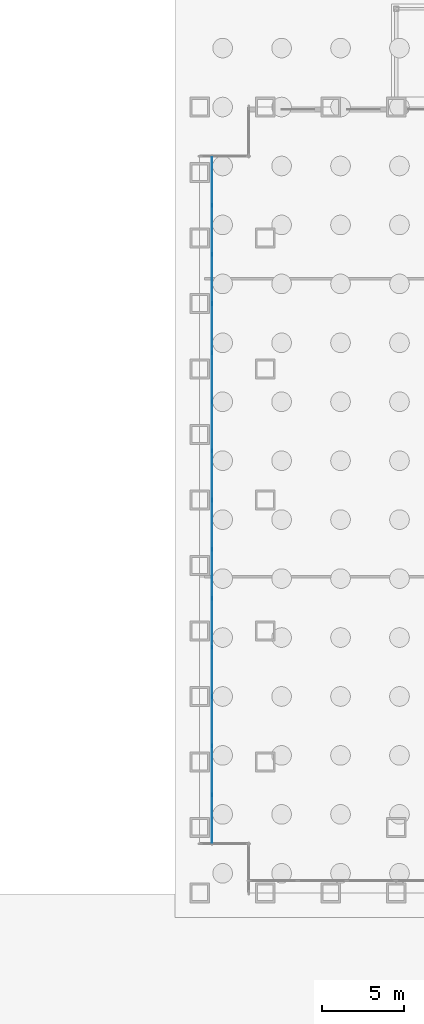
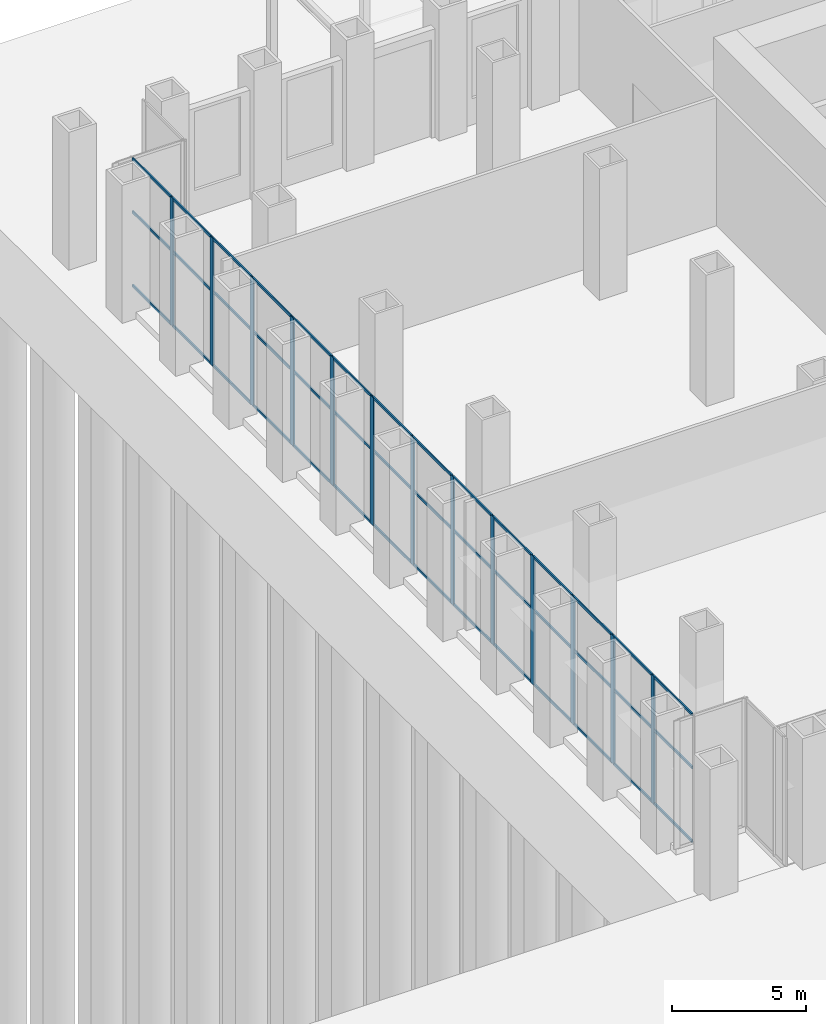
# One storey, part 8 of 17: 55 members, 1 element without a shape of its own.
"""IFC4 building model written with IfcOpenShell, lengths in metres."""

from ifc_helpers import new_model, si_unit, direction, frame, origin, origin_2d, place, context, subcontext, project, spatial, rectangle, extrude, material, material_profile, profile_set, type_object, element, aggregate, save


model = new_model("IFC4")

# Units and contexts
model_context = context("Model", 3, precision=1e-05, world=origin(), true_north=direction((0.0, 1.0)))
body_context = subcontext(model_context, "Body", "Model", "MODEL_VIEW")
ifc_project = project(units=[si_unit("LENGTHUNIT", "METRE"), si_unit("AREAUNIT", "SQUARE_METRE"), si_unit("VOLUMEUNIT", "CUBIC_METRE"), si_unit("PLANEANGLEUNIT", "RADIAN"), si_unit("MASSUNIT", "GRAM", prefix="KILO")], contexts=[model_context])

# Site, building, storey
site_placement = place(None, origin())
site = spatial("IfcSite", under=ifc_project, at=site_placement, CompositionType="ELEMENT")
building_placement = place(site_placement, origin())
building = spatial("IfcBuilding", under=site, at=building_placement, Name="Rimbunsela Tower", CompositionType="ELEMENT")
storey_placement = place(building_placement, origin())
storey = spatial("IfcBuildingStorey", under=building, at=storey_placement, Name="L00", CompositionType="ELEMENT", Elevation=0.0)

# Curtain wall, members
ifc_material_1 = material(Name="Aluminium curtain wall", Category="aluminium")
curtain_wall_type = type_object("IfcCurtainWallType", Name="Podium glazing", PredefinedType="USERDEFINED", material=ifc_material_1)
curtain_wall_placement = place(storey_placement, origin())
curtain_wall = element("IfcCurtainWall", 1, at=curtain_wall_placement, inside=storey, type_object=curtain_wall_type, Name="Podium glazing L00", ObjectType="PODIUM GLAZING", PredefinedType="USERDEFINED")
ifc_material_2 = material(Name="Aluminium mullion", Category="aluminium")
ifc_material_profile_1 = material_profile(ifc_material_2, rectangle(XDim=0.06005859375, YDim=0.25, at=origin_2d()), Name="Mullion 60x250")
ifc_profile_set_1 = profile_set([ifc_material_profile_1], Name="Aluminium mullion")
member_type_1 = type_object("IfcMemberType", Name="Curtain wall mullion 60x250", PredefinedType="MULLION", material=ifc_profile_set_1)
member_1_placement = place(storey_placement, frame((-5.25, 38.0, 0.0), z_axis=(0.0, 0.0, 1.0), x_axis=(1.0, 0.0, 0.0)))
member_1 = element("IfcMember", 2, at=member_1_placement, type_object=member_type_1, Name="CW1 mullion 2", PredefinedType="MULLION", context=body_context, shape_type="SweptSolid", body=[
    extrude(rectangle(XDim=0.06005859375, YDim=0.25, at=origin_2d()), origin(), (0.0, 0.0, 1.0), 5.85009765625),
])
member_2_placement = place(storey_placement, frame((-5.25, 35.0, 0.0), z_axis=(0.0, 0.0, 1.0), x_axis=(1.0, 0.0, 0.0)))
member_2 = element("IfcMember", 3, at=member_2_placement, type_object=member_type_1, Name="CW1 mullion 3", PredefinedType="MULLION", context=body_context, shape_type="SweptSolid", body=[
    extrude(rectangle(XDim=0.06005859375, YDim=0.25, at=origin_2d()), origin(), (0.0, 0.0, 1.0), 5.85009765625),
])
member_3_placement = place(storey_placement, frame((-5.25, 32.0, 0.0), z_axis=(0.0, 0.0, 1.0), x_axis=(1.0, 0.0, 0.0)))
member_3 = element("IfcMember", 4, at=member_3_placement, type_object=member_type_1, Name="CW1 mullion 4", PredefinedType="MULLION", context=body_context, shape_type="SweptSolid", body=[
    extrude(rectangle(XDim=0.06005859375, YDim=0.25, at=origin_2d()), origin(), (0.0, 0.0, 1.0), 5.85009765625),
])
member_4_placement = place(storey_placement, frame((-5.25, 29.0, 0.0), z_axis=(0.0, 0.0, 1.0), x_axis=(1.0, 0.0, 0.0)))
member_4 = element("IfcMember", 5, at=member_4_placement, type_object=member_type_1, Name="CW1 mullion 5", PredefinedType="MULLION", context=body_context, shape_type="SweptSolid", body=[
    extrude(rectangle(XDim=0.06005859375, YDim=0.25, at=origin_2d()), origin(), (0.0, 0.0, 1.0), 5.85009765625),
])
member_5_placement = place(storey_placement, frame((-5.25, 26.0, 0.0), z_axis=(0.0, 0.0, 1.0), x_axis=(1.0, 0.0, 0.0)))
member_5 = element("IfcMember", 6, at=member_5_placement, type_object=member_type_1, Name="CW1 mullion 6", PredefinedType="MULLION", context=body_context, shape_type="SweptSolid", body=[
    extrude(rectangle(XDim=0.06005859375, YDim=0.25, at=origin_2d()), origin(), (0.0, 0.0, 1.0), 5.85009765625),
])
member_6_placement = place(storey_placement, frame((-5.25, 23.0, 0.0), z_axis=(0.0, 0.0, 1.0), x_axis=(1.0, 0.0, 0.0)))
member_6 = element("IfcMember", 7, at=member_6_placement, type_object=member_type_1, Name="CW1 mullion 7", PredefinedType="MULLION", context=body_context, shape_type="SweptSolid", body=[
    extrude(rectangle(XDim=0.06005859375, YDim=0.25, at=origin_2d()), origin(), (0.0, 0.0, 1.0), 5.85009765625),
])
member_7_placement = place(storey_placement, frame((-5.25, 20.0, 0.0), z_axis=(0.0, 0.0, 1.0), x_axis=(1.0, 0.0, 0.0)))
member_7 = element("IfcMember", 8, at=member_7_placement, type_object=member_type_1, Name="CW1 mullion 8", PredefinedType="MULLION", context=body_context, shape_type="SweptSolid", body=[
    extrude(rectangle(XDim=0.06005859375, YDim=0.25, at=origin_2d()), origin(), (0.0, 0.0, 1.0), 5.85009765625),
])
member_8_placement = place(storey_placement, frame((-5.25, 17.0, 0.0), z_axis=(0.0, 0.0, 1.0), x_axis=(1.0, 0.0, 0.0)))
member_8 = element("IfcMember", 9, at=member_8_placement, type_object=member_type_1, Name="CW1 mullion 9", PredefinedType="MULLION", context=body_context, shape_type="SweptSolid", body=[
    extrude(rectangle(XDim=0.06005859375, YDim=0.25, at=origin_2d()), origin(), (0.0, 0.0, 1.0), 5.85009765625),
])
member_9_placement = place(storey_placement, frame((-5.25, 14.0, 0.0), z_axis=(0.0, 0.0, 1.0), x_axis=(1.0, 0.0, 0.0)))
member_9 = element("IfcMember", 10, at=member_9_placement, type_object=member_type_1, Name="CW1 mullion 10", PredefinedType="MULLION", context=body_context, shape_type="SweptSolid", body=[
    extrude(rectangle(XDim=0.06005859375, YDim=0.25, at=origin_2d()), origin(), (0.0, 0.0, 1.0), 5.85009765625),
])
member_10_placement = place(storey_placement, frame((-5.25, 11.0, 0.0), z_axis=(0.0, 0.0, 1.0), x_axis=(1.0, 0.0, 0.0)))
member_10 = element("IfcMember", 11, at=member_10_placement, type_object=member_type_1, Name="CW1 mullion 11", PredefinedType="MULLION", context=body_context, shape_type="SweptSolid", body=[
    extrude(rectangle(XDim=0.06005859375, YDim=0.25, at=origin_2d()), origin(), (0.0, 0.0, 1.0), 5.85009765625),
])
member_11_placement = place(storey_placement, frame((-5.25, 8.0, 0.0), z_axis=(0.0, 0.0, 1.0), x_axis=(1.0, 0.0, 0.0)))
member_11 = element("IfcMember", 12, at=member_11_placement, type_object=member_type_1, Name="CW1 mullion 12", PredefinedType="MULLION", context=body_context, shape_type="SweptSolid", body=[
    extrude(rectangle(XDim=0.06005859375, YDim=0.25, at=origin_2d()), origin(), (0.0, 0.0, 1.0), 5.85009765625),
])
member_12_placement = place(storey_placement, frame((-5.25, 5.0, 0.0), z_axis=(0.0, 0.0, 1.0), x_axis=(1.0, 0.0, 0.0)))
member_12 = element("IfcMember", 13, at=member_12_placement, type_object=member_type_1, Name="CW1 mullion 13", PredefinedType="MULLION", context=body_context, shape_type="SweptSolid", body=[
    extrude(rectangle(XDim=0.06005859375, YDim=0.25, at=origin_2d()), origin(), (0.0, 0.0, 1.0), 5.85009765625),
])
member_13_placement = place(storey_placement, frame((-5.25, 2.0, 0.0), z_axis=(0.0, 0.0, 1.0), x_axis=(1.0, 0.0, 0.0)))
member_13 = element("IfcMember", 14, at=member_13_placement, type_object=member_type_1, Name="CW1 mullion 14", PredefinedType="MULLION", context=body_context, shape_type="SweptSolid", body=[
    extrude(rectangle(XDim=0.06005859375, YDim=0.25, at=origin_2d()), origin(), (0.0, 0.0, 1.0), 5.85009765625),
])
ifc_material_3 = material(Name="Aluminium transom", Category="aluminium")
ifc_material_profile_2 = material_profile(ifc_material_3, rectangle(XDim=0.06005859375, YDim=0.1201171875, at=origin_2d()), Name="Transom 60x120")
ifc_profile_set_2 = profile_set([ifc_material_profile_2], Name="Aluminium transom")
member_type_2 = type_object("IfcMemberType", Name="Curtain wall transom 60x120", PredefinedType="USERDEFINED", material=ifc_profile_set_2)
member_14_placement = place(storey_placement, frame((-5.25, 40.93994140625, 0.030029296875), z_axis=(0.0, -1.0, 0.0), x_axis=(1.0, 0.0, 0.0)))
member_14 = element("IfcMember", 15, at=member_14_placement, type_object=member_type_2, Name="CW1 transom 1.1", ObjectType="TRANSOM", PredefinedType="USERDEFINED", context=body_context, shape_type="SweptSolid", body=[
    extrude(rectangle(XDim=0.06005859375, YDim=0.1201171875, at=origin_2d()), origin(), (0.0, 0.0, 1.0), 2.909912109375),
])
member_15_placement = place(storey_placement, frame((-5.25, 40.93994140625, 3.39990234375), z_axis=(0.0, -1.0, 0.0), x_axis=(1.0, 0.0, 0.0)))
member_15 = element("IfcMember", 16, at=member_15_placement, type_object=member_type_2, Name="CW1 transom 1.2", ObjectType="TRANSOM", PredefinedType="USERDEFINED", context=body_context, shape_type="SweptSolid", body=[
    extrude(rectangle(XDim=0.06005859375, YDim=0.1201171875, at=origin_2d()), origin(), (0.0, 0.0, 1.0), 2.909912109375),
])
member_16_placement = place(storey_placement, frame((-5.25, 40.93994140625, 5.820068359375), z_axis=(0.0, -1.0, 0.0), x_axis=(1.0, 0.0, 0.0)))
member_16 = element("IfcMember", 17, at=member_16_placement, type_object=member_type_2, Name="CW1 transom 1.3", ObjectType="TRANSOM", PredefinedType="USERDEFINED", context=body_context, shape_type="SweptSolid", body=[
    extrude(rectangle(XDim=0.06005859375, YDim=0.1201171875, at=origin_2d()), origin(), (0.0, 0.0, 1.0), 2.909912109375),
])
member_17_placement = place(storey_placement, frame((-5.25, 37.969970703125, 0.030029296875), z_axis=(0.0, -1.0, 0.0), x_axis=(1.0, 0.0, 0.0)))
member_17 = element("IfcMember", 18, at=member_17_placement, type_object=member_type_2, Name="CW1 transom 2.1", ObjectType="TRANSOM", PredefinedType="USERDEFINED", context=body_context, shape_type="SweptSolid", body=[
    extrude(rectangle(XDim=0.06005859375, YDim=0.1201171875, at=origin_2d()), origin(), (0.0, 0.0, 1.0), 2.93994140625),
])
member_18_placement = place(storey_placement, frame((-5.25, 37.969970703125, 3.39990234375), z_axis=(0.0, -1.0, 0.0), x_axis=(1.0, 0.0, 0.0)))
member_18 = element("IfcMember", 19, at=member_18_placement, type_object=member_type_2, Name="CW1 transom 2.2", ObjectType="TRANSOM", PredefinedType="USERDEFINED", context=body_context, shape_type="SweptSolid", body=[
    extrude(rectangle(XDim=0.06005859375, YDim=0.1201171875, at=origin_2d()), origin(), (0.0, 0.0, 1.0), 2.93994140625),
])
member_19_placement = place(storey_placement, frame((-5.25, 37.969970703125, 5.820068359375), z_axis=(0.0, -1.0, 0.0), x_axis=(1.0, 0.0, 0.0)))
member_19 = element("IfcMember", 20, at=member_19_placement, type_object=member_type_2, Name="CW1 transom 2.3", ObjectType="TRANSOM", PredefinedType="USERDEFINED", context=body_context, shape_type="SweptSolid", body=[
    extrude(rectangle(XDim=0.06005859375, YDim=0.1201171875, at=origin_2d()), origin(), (0.0, 0.0, 1.0), 2.93994140625),
])
member_20_placement = place(storey_placement, frame((-5.25, 34.969970703125, 0.030029296875), z_axis=(0.0, -1.0, 0.0), x_axis=(1.0, 0.0, 0.0)))
member_20 = element("IfcMember", 21, at=member_20_placement, type_object=member_type_2, Name="CW1 transom 3.1", ObjectType="TRANSOM", PredefinedType="USERDEFINED", context=body_context, shape_type="SweptSolid", body=[
    extrude(rectangle(XDim=0.06005859375, YDim=0.1201171875, at=origin_2d()), origin(), (0.0, 0.0, 1.0), 2.93994140625),
])
member_21_placement = place(storey_placement, frame((-5.25, 34.969970703125, 3.39990234375), z_axis=(0.0, -1.0, 0.0), x_axis=(1.0, 0.0, 0.0)))
member_21 = element("IfcMember", 22, at=member_21_placement, type_object=member_type_2, Name="CW1 transom 3.2", ObjectType="TRANSOM", PredefinedType="USERDEFINED", context=body_context, shape_type="SweptSolid", body=[
    extrude(rectangle(XDim=0.06005859375, YDim=0.1201171875, at=origin_2d()), origin(), (0.0, 0.0, 1.0), 2.93994140625),
])
member_22_placement = place(storey_placement, frame((-5.25, 34.969970703125, 5.820068359375), z_axis=(0.0, -1.0, 0.0), x_axis=(1.0, 0.0, 0.0)))
member_22 = element("IfcMember", 23, at=member_22_placement, type_object=member_type_2, Name="CW1 transom 3.3", ObjectType="TRANSOM", PredefinedType="USERDEFINED", context=body_context, shape_type="SweptSolid", body=[
    extrude(rectangle(XDim=0.06005859375, YDim=0.1201171875, at=origin_2d()), origin(), (0.0, 0.0, 1.0), 2.93994140625),
])
member_23_placement = place(storey_placement, frame((-5.25, 31.969970703125, 0.030029296875), z_axis=(0.0, -1.0, 0.0), x_axis=(1.0, 0.0, 0.0)))
member_23 = element("IfcMember", 24, at=member_23_placement, type_object=member_type_2, Name="CW1 transom 4.1", ObjectType="TRANSOM", PredefinedType="USERDEFINED", context=body_context, shape_type="SweptSolid", body=[
    extrude(rectangle(XDim=0.06005859375, YDim=0.1201171875, at=origin_2d()), origin(), (0.0, 0.0, 1.0), 2.93994140625),
])
member_24_placement = place(storey_placement, frame((-5.25, 31.969970703125, 3.39990234375), z_axis=(0.0, -1.0, 0.0), x_axis=(1.0, 0.0, 0.0)))
member_24 = element("IfcMember", 25, at=member_24_placement, type_object=member_type_2, Name="CW1 transom 4.2", ObjectType="TRANSOM", PredefinedType="USERDEFINED", context=body_context, shape_type="SweptSolid", body=[
    extrude(rectangle(XDim=0.06005859375, YDim=0.1201171875, at=origin_2d()), origin(), (0.0, 0.0, 1.0), 2.93994140625),
])
member_25_placement = place(storey_placement, frame((-5.25, 31.969970703125, 5.820068359375), z_axis=(0.0, -1.0, 0.0), x_axis=(1.0, 0.0, 0.0)))
member_25 = element("IfcMember", 26, at=member_25_placement, type_object=member_type_2, Name="CW1 transom 4.3", ObjectType="TRANSOM", PredefinedType="USERDEFINED", context=body_context, shape_type="SweptSolid", body=[
    extrude(rectangle(XDim=0.06005859375, YDim=0.1201171875, at=origin_2d()), origin(), (0.0, 0.0, 1.0), 2.93994140625),
])
member_26_placement = place(storey_placement, frame((-5.25, 28.969970703125, 0.030029296875), z_axis=(0.0, -1.0, 0.0), x_axis=(1.0, 0.0, 0.0)))
member_26 = element("IfcMember", 27, at=member_26_placement, type_object=member_type_2, Name="CW1 transom 5.1", ObjectType="TRANSOM", PredefinedType="USERDEFINED", context=body_context, shape_type="SweptSolid", body=[
    extrude(rectangle(XDim=0.06005859375, YDim=0.1201171875, at=origin_2d()), origin(), (0.0, 0.0, 1.0), 2.93994140625),
])
member_27_placement = place(storey_placement, frame((-5.25, 28.969970703125, 3.39990234375), z_axis=(0.0, -1.0, 0.0), x_axis=(1.0, 0.0, 0.0)))
member_27 = element("IfcMember", 28, at=member_27_placement, type_object=member_type_2, Name="CW1 transom 5.2", ObjectType="TRANSOM", PredefinedType="USERDEFINED", context=body_context, shape_type="SweptSolid", body=[
    extrude(rectangle(XDim=0.06005859375, YDim=0.1201171875, at=origin_2d()), origin(), (0.0, 0.0, 1.0), 2.93994140625),
])
member_28_placement = place(storey_placement, frame((-5.25, 28.969970703125, 5.820068359375), z_axis=(0.0, -1.0, 0.0), x_axis=(1.0, 0.0, 0.0)))
member_28 = element("IfcMember", 29, at=member_28_placement, type_object=member_type_2, Name="CW1 transom 5.3", ObjectType="TRANSOM", PredefinedType="USERDEFINED", context=body_context, shape_type="SweptSolid", body=[
    extrude(rectangle(XDim=0.06005859375, YDim=0.1201171875, at=origin_2d()), origin(), (0.0, 0.0, 1.0), 2.93994140625),
])
member_29_placement = place(storey_placement, frame((-5.25, 25.969970703125, 0.030029296875), z_axis=(0.0, -1.0, 0.0), x_axis=(1.0, 0.0, 0.0)))
member_29 = element("IfcMember", 30, at=member_29_placement, type_object=member_type_2, Name="CW1 transom 6.1", ObjectType="TRANSOM", PredefinedType="USERDEFINED", context=body_context, shape_type="SweptSolid", body=[
    extrude(rectangle(XDim=0.06005859375, YDim=0.1201171875, at=origin_2d()), origin(), (0.0, 0.0, 1.0), 2.93994140625),
])
member_30_placement = place(storey_placement, frame((-5.25, 25.969970703125, 3.39990234375), z_axis=(0.0, -1.0, 0.0), x_axis=(1.0, 0.0, 0.0)))
member_30 = element("IfcMember", 31, at=member_30_placement, type_object=member_type_2, Name="CW1 transom 6.2", ObjectType="TRANSOM", PredefinedType="USERDEFINED", context=body_context, shape_type="SweptSolid", body=[
    extrude(rectangle(XDim=0.06005859375, YDim=0.1201171875, at=origin_2d()), origin(), (0.0, 0.0, 1.0), 2.93994140625),
])
member_31_placement = place(storey_placement, frame((-5.25, 25.969970703125, 5.820068359375), z_axis=(0.0, -1.0, 0.0), x_axis=(1.0, 0.0, 0.0)))
member_31 = element("IfcMember", 32, at=member_31_placement, type_object=member_type_2, Name="CW1 transom 6.3", ObjectType="TRANSOM", PredefinedType="USERDEFINED", context=body_context, shape_type="SweptSolid", body=[
    extrude(rectangle(XDim=0.06005859375, YDim=0.1201171875, at=origin_2d()), origin(), (0.0, 0.0, 1.0), 2.93994140625),
])
member_32_placement = place(storey_placement, frame((-5.25, 22.969970703125, 0.030029296875), z_axis=(0.0, -1.0, 0.0), x_axis=(1.0, 0.0, 0.0)))
member_32 = element("IfcMember", 33, at=member_32_placement, type_object=member_type_2, Name="CW1 transom 7.1", ObjectType="TRANSOM", PredefinedType="USERDEFINED", context=body_context, shape_type="SweptSolid", body=[
    extrude(rectangle(XDim=0.06005859375, YDim=0.1201171875, at=origin_2d()), origin(), (0.0, 0.0, 1.0), 2.93994140625),
])
member_33_placement = place(storey_placement, frame((-5.25, 22.969970703125, 3.39990234375), z_axis=(0.0, -1.0, 0.0), x_axis=(1.0, 0.0, 0.0)))
member_33 = element("IfcMember", 34, at=member_33_placement, type_object=member_type_2, Name="CW1 transom 7.2", ObjectType="TRANSOM", PredefinedType="USERDEFINED", context=body_context, shape_type="SweptSolid", body=[
    extrude(rectangle(XDim=0.06005859375, YDim=0.1201171875, at=origin_2d()), origin(), (0.0, 0.0, 1.0), 2.93994140625),
])
member_34_placement = place(storey_placement, frame((-5.25, 22.969970703125, 5.820068359375), z_axis=(0.0, -1.0, 0.0), x_axis=(1.0, 0.0, 0.0)))
member_34 = element("IfcMember", 35, at=member_34_placement, type_object=member_type_2, Name="CW1 transom 7.3", ObjectType="TRANSOM", PredefinedType="USERDEFINED", context=body_context, shape_type="SweptSolid", body=[
    extrude(rectangle(XDim=0.06005859375, YDim=0.1201171875, at=origin_2d()), origin(), (0.0, 0.0, 1.0), 2.93994140625),
])
member_35_placement = place(storey_placement, frame((-5.25, 19.969970703125, 0.030029296875), z_axis=(0.0, -1.0, 0.0), x_axis=(1.0, 0.0, 0.0)))
member_35 = element("IfcMember", 36, at=member_35_placement, type_object=member_type_2, Name="CW1 transom 8.1", ObjectType="TRANSOM", PredefinedType="USERDEFINED", context=body_context, shape_type="SweptSolid", body=[
    extrude(rectangle(XDim=0.06005859375, YDim=0.1201171875, at=origin_2d()), origin(), (0.0, 0.0, 1.0), 2.93994140625),
])
member_36_placement = place(storey_placement, frame((-5.25, 19.969970703125, 3.39990234375), z_axis=(0.0, -1.0, 0.0), x_axis=(1.0, 0.0, 0.0)))
member_36 = element("IfcMember", 37, at=member_36_placement, type_object=member_type_2, Name="CW1 transom 8.2", ObjectType="TRANSOM", PredefinedType="USERDEFINED", context=body_context, shape_type="SweptSolid", body=[
    extrude(rectangle(XDim=0.06005859375, YDim=0.1201171875, at=origin_2d()), origin(), (0.0, 0.0, 1.0), 2.93994140625),
])
member_37_placement = place(storey_placement, frame((-5.25, 19.969970703125, 5.820068359375), z_axis=(0.0, -1.0, 0.0), x_axis=(1.0, 0.0, 0.0)))
member_37 = element("IfcMember", 38, at=member_37_placement, type_object=member_type_2, Name="CW1 transom 8.3", ObjectType="TRANSOM", PredefinedType="USERDEFINED", context=body_context, shape_type="SweptSolid", body=[
    extrude(rectangle(XDim=0.06005859375, YDim=0.1201171875, at=origin_2d()), origin(), (0.0, 0.0, 1.0), 2.93994140625),
])
member_38_placement = place(storey_placement, frame((-5.25, 16.969970703125, 0.030029296875), z_axis=(0.0, -1.0, 0.0), x_axis=(1.0, 0.0, 0.0)))
member_38 = element("IfcMember", 39, at=member_38_placement, type_object=member_type_2, Name="CW1 transom 9.1", ObjectType="TRANSOM", PredefinedType="USERDEFINED", context=body_context, shape_type="SweptSolid", body=[
    extrude(rectangle(XDim=0.06005859375, YDim=0.1201171875, at=origin_2d()), origin(), (0.0, 0.0, 1.0), 2.93994140625),
])
member_39_placement = place(storey_placement, frame((-5.25, 16.969970703125, 3.39990234375), z_axis=(0.0, -1.0, 0.0), x_axis=(1.0, 0.0, 0.0)))
member_39 = element("IfcMember", 40, at=member_39_placement, type_object=member_type_2, Name="CW1 transom 9.2", ObjectType="TRANSOM", PredefinedType="USERDEFINED", context=body_context, shape_type="SweptSolid", body=[
    extrude(rectangle(XDim=0.06005859375, YDim=0.1201171875, at=origin_2d()), origin(), (0.0, 0.0, 1.0), 2.93994140625),
])
member_40_placement = place(storey_placement, frame((-5.25, 16.969970703125, 5.820068359375), z_axis=(0.0, -1.0, 0.0), x_axis=(1.0, 0.0, 0.0)))
member_40 = element("IfcMember", 41, at=member_40_placement, type_object=member_type_2, Name="CW1 transom 9.3", ObjectType="TRANSOM", PredefinedType="USERDEFINED", context=body_context, shape_type="SweptSolid", body=[
    extrude(rectangle(XDim=0.06005859375, YDim=0.1201171875, at=origin_2d()), origin(), (0.0, 0.0, 1.0), 2.93994140625),
])
member_41_placement = place(storey_placement, frame((-5.25, 13.969970703125, 0.030029296875), z_axis=(0.0, -1.0, 0.0), x_axis=(1.0, 0.0, 0.0)))
member_41 = element("IfcMember", 42, at=member_41_placement, type_object=member_type_2, Name="CW1 transom 10.1", ObjectType="TRANSOM", PredefinedType="USERDEFINED", context=body_context, shape_type="SweptSolid", body=[
    extrude(rectangle(XDim=0.06005859375, YDim=0.1201171875, at=origin_2d()), origin(), (0.0, 0.0, 1.0), 2.93994140625),
])
member_42_placement = place(storey_placement, frame((-5.25, 13.969970703125, 3.39990234375), z_axis=(0.0, -1.0, 0.0), x_axis=(1.0, 0.0, 0.0)))
member_42 = element("IfcMember", 43, at=member_42_placement, type_object=member_type_2, Name="CW1 transom 10.2", ObjectType="TRANSOM", PredefinedType="USERDEFINED", context=body_context, shape_type="SweptSolid", body=[
    extrude(rectangle(XDim=0.06005859375, YDim=0.1201171875, at=origin_2d()), origin(), (0.0, 0.0, 1.0), 2.93994140625),
])
member_43_placement = place(storey_placement, frame((-5.25, 13.969970703125, 5.820068359375), z_axis=(0.0, -1.0, 0.0), x_axis=(1.0, 0.0, 0.0)))
member_43 = element("IfcMember", 44, at=member_43_placement, type_object=member_type_2, Name="CW1 transom 10.3", ObjectType="TRANSOM", PredefinedType="USERDEFINED", context=body_context, shape_type="SweptSolid", body=[
    extrude(rectangle(XDim=0.06005859375, YDim=0.1201171875, at=origin_2d()), origin(), (0.0, 0.0, 1.0), 2.93994140625),
])
member_44_placement = place(storey_placement, frame((-5.25, 10.969970703125, 0.030029296875), z_axis=(0.0, -1.0, 0.0), x_axis=(1.0, 0.0, 0.0)))
member_44 = element("IfcMember", 45, at=member_44_placement, type_object=member_type_2, Name="CW1 transom 11.1", ObjectType="TRANSOM", PredefinedType="USERDEFINED", context=body_context, shape_type="SweptSolid", body=[
    extrude(rectangle(XDim=0.06005859375, YDim=0.1201171875, at=origin_2d()), origin(), (0.0, 0.0, 1.0), 2.93994140625),
])
member_45_placement = place(storey_placement, frame((-5.25, 10.969970703125, 3.39990234375), z_axis=(0.0, -1.0, 0.0), x_axis=(1.0, 0.0, 0.0)))
member_45 = element("IfcMember", 46, at=member_45_placement, type_object=member_type_2, Name="CW1 transom 11.2", ObjectType="TRANSOM", PredefinedType="USERDEFINED", context=body_context, shape_type="SweptSolid", body=[
    extrude(rectangle(XDim=0.06005859375, YDim=0.1201171875, at=origin_2d()), origin(), (0.0, 0.0, 1.0), 2.93994140625),
])
member_46_placement = place(storey_placement, frame((-5.25, 10.969970703125, 5.820068359375), z_axis=(0.0, -1.0, 0.0), x_axis=(1.0, 0.0, 0.0)))
member_46 = element("IfcMember", 47, at=member_46_placement, type_object=member_type_2, Name="CW1 transom 11.3", ObjectType="TRANSOM", PredefinedType="USERDEFINED", context=body_context, shape_type="SweptSolid", body=[
    extrude(rectangle(XDim=0.06005859375, YDim=0.1201171875, at=origin_2d()), origin(), (0.0, 0.0, 1.0), 2.93994140625),
])
member_47_placement = place(storey_placement, frame((-5.25, 7.969970703125, 0.030029296875), z_axis=(0.0, -1.0, 0.0), x_axis=(1.0, 0.0, 0.0)))
member_47 = element("IfcMember", 48, at=member_47_placement, type_object=member_type_2, Name="CW1 transom 12.1", ObjectType="TRANSOM", PredefinedType="USERDEFINED", context=body_context, shape_type="SweptSolid", body=[
    extrude(rectangle(XDim=0.06005859375, YDim=0.1201171875, at=origin_2d()), origin(), (0.0, 0.0, 1.0), 2.93994140625),
])
member_48_placement = place(storey_placement, frame((-5.25, 7.969970703125, 3.39990234375), z_axis=(0.0, -1.0, 0.0), x_axis=(1.0, 0.0, 0.0)))
member_48 = element("IfcMember", 49, at=member_48_placement, type_object=member_type_2, Name="CW1 transom 12.2", ObjectType="TRANSOM", PredefinedType="USERDEFINED", context=body_context, shape_type="SweptSolid", body=[
    extrude(rectangle(XDim=0.06005859375, YDim=0.1201171875, at=origin_2d()), origin(), (0.0, 0.0, 1.0), 2.93994140625),
])
member_49_placement = place(storey_placement, frame((-5.25, 7.969970703125, 5.820068359375), z_axis=(0.0, -1.0, 0.0), x_axis=(1.0, 0.0, 0.0)))
member_49 = element("IfcMember", 50, at=member_49_placement, type_object=member_type_2, Name="CW1 transom 12.3", ObjectType="TRANSOM", PredefinedType="USERDEFINED", context=body_context, shape_type="SweptSolid", body=[
    extrude(rectangle(XDim=0.06005859375, YDim=0.1201171875, at=origin_2d()), origin(), (0.0, 0.0, 1.0), 2.93994140625),
])
member_50_placement = place(storey_placement, frame((-5.25, 4.969970703125, 0.030029296875), z_axis=(0.0, -1.0, 0.0), x_axis=(1.0, 0.0, 0.0)))
member_50 = element("IfcMember", 51, at=member_50_placement, type_object=member_type_2, Name="CW1 transom 13.1", ObjectType="TRANSOM", PredefinedType="USERDEFINED", context=body_context, shape_type="SweptSolid", body=[
    extrude(rectangle(XDim=0.06005859375, YDim=0.1201171875, at=origin_2d()), origin(), (0.0, 0.0, 1.0), 2.93994140625),
])
member_51_placement = place(storey_placement, frame((-5.25, 4.969970703125, 3.39990234375), z_axis=(0.0, -1.0, 0.0), x_axis=(1.0, 0.0, 0.0)))
member_51 = element("IfcMember", 52, at=member_51_placement, type_object=member_type_2, Name="CW1 transom 13.2", ObjectType="TRANSOM", PredefinedType="USERDEFINED", context=body_context, shape_type="SweptSolid", body=[
    extrude(rectangle(XDim=0.06005859375, YDim=0.1201171875, at=origin_2d()), origin(), (0.0, 0.0, 1.0), 2.93994140625),
])
member_52_placement = place(storey_placement, frame((-5.25, 4.969970703125, 5.820068359375), z_axis=(0.0, -1.0, 0.0), x_axis=(1.0, 0.0, 0.0)))
member_52 = element("IfcMember", 53, at=member_52_placement, type_object=member_type_2, Name="CW1 transom 13.3", ObjectType="TRANSOM", PredefinedType="USERDEFINED", context=body_context, shape_type="SweptSolid", body=[
    extrude(rectangle(XDim=0.06005859375, YDim=0.1201171875, at=origin_2d()), origin(), (0.0, 0.0, 1.0), 2.93994140625),
])
member_53_placement = place(storey_placement, frame((-5.25, 1.969970703125, 0.030029296875), z_axis=(0.0, -1.0, 0.0), x_axis=(1.0, 0.0, 0.0)))
member_53 = element("IfcMember", 54, at=member_53_placement, type_object=member_type_2, Name="CW1 transom 14.1", ObjectType="TRANSOM", PredefinedType="USERDEFINED", context=body_context, shape_type="SweptSolid", body=[
    extrude(rectangle(XDim=0.06005859375, YDim=0.1201171875, at=origin_2d()), origin(), (0.0, 0.0, 1.0), 2.909912109375),
])
member_54_placement = place(storey_placement, frame((-5.25, 1.969970703125, 3.39990234375), z_axis=(0.0, -1.0, 0.0), x_axis=(1.0, 0.0, 0.0)))
member_54 = element("IfcMember", 55, at=member_54_placement, type_object=member_type_2, Name="CW1 transom 14.2", ObjectType="TRANSOM", PredefinedType="USERDEFINED", context=body_context, shape_type="SweptSolid", body=[
    extrude(rectangle(XDim=0.06005859375, YDim=0.1201171875, at=origin_2d()), origin(), (0.0, 0.0, 1.0), 2.909912109375),
])
member_55_placement = place(storey_placement, frame((-5.25, 1.969970703125, 5.820068359375), z_axis=(0.0, -1.0, 0.0), x_axis=(1.0, 0.0, 0.0)))
member_55 = element("IfcMember", 56, at=member_55_placement, type_object=member_type_2, Name="CW1 transom 14.3", ObjectType="TRANSOM", PredefinedType="USERDEFINED", context=body_context, shape_type="SweptSolid", body=[
    extrude(rectangle(XDim=0.06005859375, YDim=0.1201171875, at=origin_2d()), origin(), (0.0, 0.0, 1.0), 2.909912109375),
])
aggregate(curtain_wall, [member_1, member_2, member_3, member_4, member_5, member_6, member_7, member_8, member_9, member_10, member_11, member_12, member_13, member_14, member_15, member_16, member_17, member_18, member_19, member_20, member_21, member_22, member_23, member_24, member_25, member_26, member_27, member_28, member_29, member_30, member_31, member_32, member_33, member_34, member_35, member_36, member_37, member_38, member_39, member_40, member_41, member_42, member_43, member_44, member_45, member_46, member_47, member_48, member_49, member_50, member_51, member_52, member_53, member_54, member_55])

save(model, "model.ifc")
